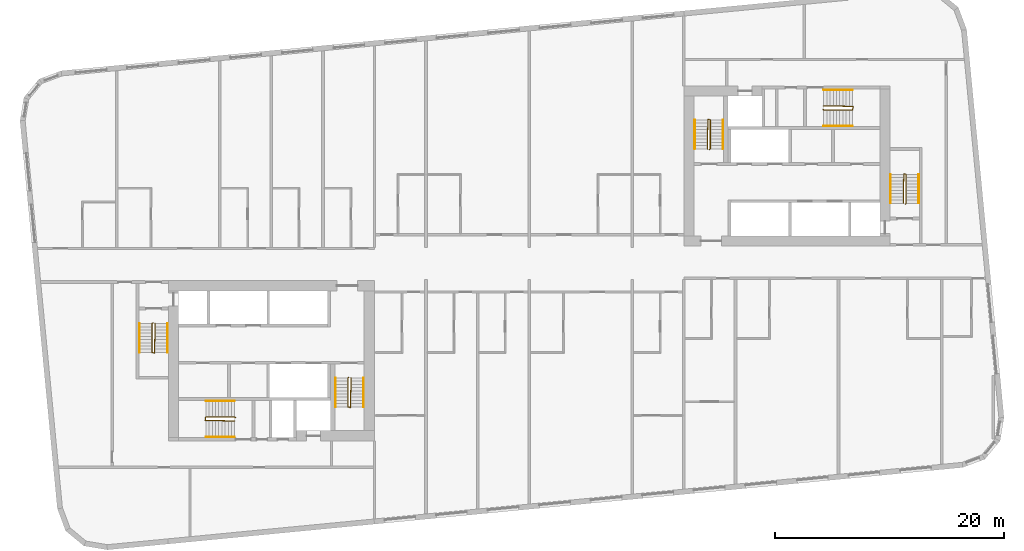
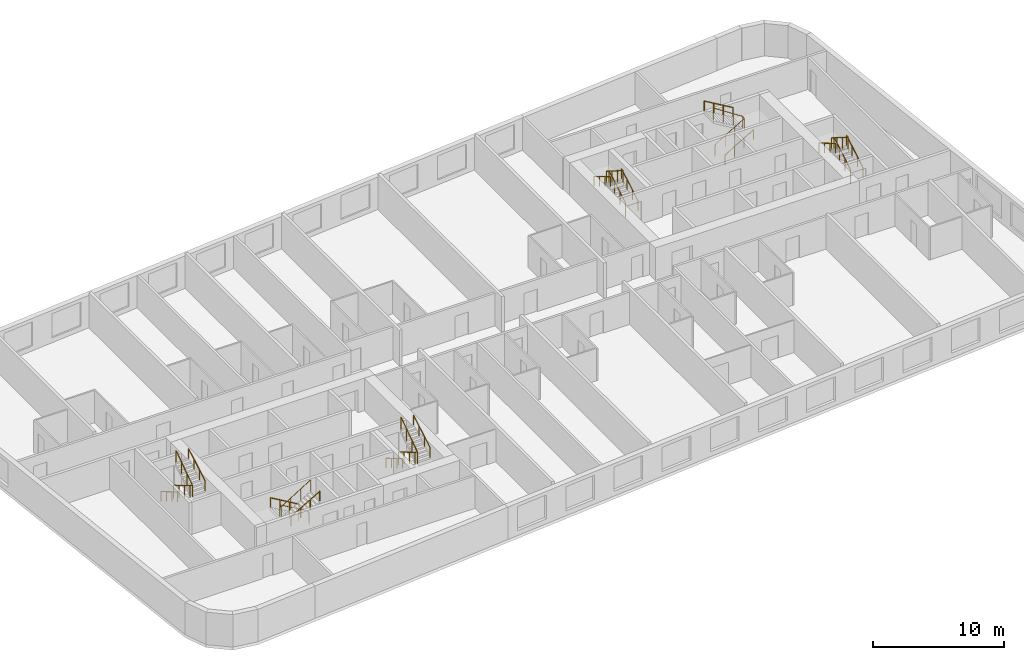
# One storey, part 12 of 12: 18 railings.
"""IFC4 building model written with IfcOpenShell, lengths in metres."""

from ifc_helpers import new_model, si_unit, direction, frame, origin, origin_2d, place, context, subcontext, project, spatial, circle, extrude, material, type_object, element, save


model = new_model("IFC4")

# Units and contexts
model_context = context("Model", 3, precision=1e-05, world=origin(), true_north=direction((0.0, 1.0)))
body_context = subcontext(model_context, "Body", "Model", "MODEL_VIEW")
ifc_project = project(units=[si_unit("LENGTHUNIT", "METRE"), si_unit("AREAUNIT", "SQUARE_METRE"), si_unit("VOLUMEUNIT", "CUBIC_METRE"), si_unit("PLANEANGLEUNIT", "RADIAN"), si_unit("MASSUNIT", "GRAM", prefix="KILO")], contexts=[model_context])

# Site, building, storey
site_placement = place(None, origin())
site = spatial("IfcSite", under=ifc_project, at=site_placement, CompositionType="ELEMENT")
building_placement = place(site_placement, origin())
building = spatial("IfcBuilding", under=site, at=building_placement, Name="Kajstack Hotel Tower", CompositionType="ELEMENT")
storey_placement = place(building_placement, frame((0.0, 0.0, 183.39990234375)))
storey = spatial("IfcBuildingStorey", under=building, at=storey_placement, Name="L43", CompositionType="ELEMENT", Elevation=183.39990234375)

# Railings
ifc_material = material(Name="Steel S355J2", Category="steel")
railing_type_1 = type_object("IfcRailingType", Name="Stair guard 1100", PredefinedType="GUARDRAIL", material=ifc_material)
railing_1_placement = place(storey_placement, frame((-32.85009765625, -5.199951171875, 0.0)))
element("IfcRailing", 1, at=railing_1_placement, inside=storey, type_object=railing_type_1, Name="L43 W1 stair guard 1", PredefinedType="GUARDRAIL", context=body_context, shape_type="SweptSolid", body=[
    extrude(circle(Radius=0.02392578125, at=origin_2d()), frame((0.0, 0.0, 1.076171875), z_axis=(-0.277450376394, -0.278810427259, 0.919394384522), x_axis=(0.708833529934, -0.705375805398, 0.0)), (0.0, 0.0, 1.0), 0.179443359375),
    extrude(circle(Radius=0.02392578125, at=origin_2d()), frame((-0.0498046875, -0.050048828125, 1.2412109375), z_axis=(0.0, -0.86152411907, 0.507716645641), x_axis=(1.0, 0.0, 0.0)), (0.0, 0.0, 1.0), 2.925048828125),
    extrude(circle(Radius=0.02392578125, at=origin_2d()), frame((-0.0498046875, -2.570068359375, 2.72607421875), z_axis=(0.970072785993, -0.242814311512, 0.0), x_axis=(0.242814311512, 0.970072785993, 0.0)), (0.0, 0.0, 1.0), 0.2060546875),
    extrude(circle(Radius=0.02392578125, at=origin_2d()), frame((0.150146484375, -2.6201171875, 2.72607421875), z_axis=(0.016385308676, 0.841405582595, 0.540155687962), x_axis=(-0.999810440751, 0.019470042781, 0.0)), (0.0, 0.0, 1.0), 3.054443359375),
    extrude(circle(Radius=0.02099609375, at=origin_2d()), origin(), (0.0, 0.0, 1.0), 1.052001953125),
    extrude(circle(Radius=0.02099609375, at=origin_2d()), frame((-0.0498046875, -0.050048828125, 0.1650390625)), (0.0, 0.0, 1.0), 1.052001953125),
    extrude(circle(Radius=0.02099609375, at=origin_2d()), frame((-0.0498046875, -0.89013671875, 0.66015625)), (0.0, 0.0, 1.0), 1.052001953125),
    extrude(circle(Radius=0.02099609375, at=origin_2d()), frame((-0.0498046875, -1.72998046875, 1.155029296875)), (0.0, 0.0, 1.0), 1.052001953125),
    extrude(circle(Radius=0.02099609375, at=origin_2d()), frame((-0.0498046875, -2.570068359375, 1.650146484375)), (0.0, 0.0, 1.0), 1.052001953125),
    extrude(circle(Radius=0.02099609375, at=origin_2d()), frame((0.150146484375, -2.6201171875, 1.650146484375)), (0.0, 0.0, 1.0), 1.052001953125),
    extrude(circle(Radius=0.02099609375, at=origin_2d()), frame((0.166748046875, -1.763427734375, 2.2001953125)), (0.0, 0.0, 1.0), 1.052001953125),
    extrude(circle(Radius=0.02099609375, at=origin_2d()), frame((0.18359375, -0.90673828125, 2.75)), (0.0, 0.0, 1.0), 1.052001953125),
    extrude(circle(Radius=0.02099609375, at=origin_2d()), frame((0.2001953125, -0.050048828125, 3.300048828125)), (0.0, 0.0, 1.0), 1.052001953125),
])
railing_2_placement = place(storey_placement, frame((-15.75, -9.949951171875, 0.0)))
element("IfcRailing", 2, at=railing_2_placement, inside=storey, type_object=railing_type_1, Name="L43 W2 stair guard 1", PredefinedType="GUARDRAIL", context=body_context, shape_type="SweptSolid", body=[
    extrude(circle(Radius=0.02392578125, at=origin_2d()), frame((0.0, 0.0, 1.076171875), z_axis=(-0.278705021027, -0.278705021027, 0.919046801044), x_axis=(0.707106781187, -0.707106781187, 0.0)), (0.0, 0.0, 1.0), 0.1796875),
    extrude(circle(Radius=0.02392578125, at=origin_2d()), frame((-0.050048828125, -0.050048828125, 1.2412109375), z_axis=(0.0, -0.86152411907, 0.507716645641), x_axis=(1.0, 0.0, 0.0)), (0.0, 0.0, 1.0), 2.925048828125),
    extrude(circle(Radius=0.02392578125, at=origin_2d()), frame((-0.050048828125, -2.570068359375, 2.72607421875), z_axis=(0.970072785993, -0.242814311512, 0.0), x_axis=(0.242814311512, 0.970072785993, 0.0)), (0.0, 0.0, 1.0), 0.2060546875),
    extrude(circle(Radius=0.02392578125, at=origin_2d()), frame((0.14990234375, -2.6201171875, 2.72607421875), z_axis=(0.016385308676, 0.841405582595, 0.540155687962), x_axis=(-0.999810440751, 0.019470042781, 0.0)), (0.0, 0.0, 1.0), 3.054443359375),
    extrude(circle(Radius=0.02099609375, at=origin_2d()), origin(), (0.0, 0.0, 1.0), 1.052001953125),
    extrude(circle(Radius=0.02099609375, at=origin_2d()), frame((-0.050048828125, -0.050048828125, 0.1650390625)), (0.0, 0.0, 1.0), 1.052001953125),
    extrude(circle(Radius=0.02099609375, at=origin_2d()), frame((-0.050048828125, -0.89013671875, 0.66015625)), (0.0, 0.0, 1.0), 1.052001953125),
    extrude(circle(Radius=0.02099609375, at=origin_2d()), frame((-0.050048828125, -1.72998046875, 1.155029296875)), (0.0, 0.0, 1.0), 1.052001953125),
    extrude(circle(Radius=0.02099609375, at=origin_2d()), frame((-0.050048828125, -2.570068359375, 1.650146484375)), (0.0, 0.0, 1.0), 1.052001953125),
    extrude(circle(Radius=0.02099609375, at=origin_2d()), frame((0.14990234375, -2.6201171875, 1.650146484375)), (0.0, 0.0, 1.0), 1.052001953125),
    extrude(circle(Radius=0.02099609375, at=origin_2d()), frame((0.16650390625, -1.763427734375, 2.2001953125)), (0.0, 0.0, 1.0), 1.052001953125),
    extrude(circle(Radius=0.02099609375, at=origin_2d()), frame((0.183349609375, -0.90673828125, 2.75)), (0.0, 0.0, 1.0), 1.052001953125),
    extrude(circle(Radius=0.02099609375, at=origin_2d()), frame((0.199951171875, -0.050048828125, 3.300048828125)), (0.0, 0.0, 1.0), 1.052001953125),
])
railing_3_placement = place(storey_placement, frame((-25.64990234375, -13.449951171875, 0.0)))
element("IfcRailing", 3, at=railing_3_placement, inside=storey, type_object=railing_type_1, Name="L43 W3 stair guard 1", PredefinedType="GUARDRAIL", context=body_context, shape_type="SweptSolid", body=[
    extrude(circle(Radius=0.02392578125, at=origin_2d()), frame((0.0, 0.0, 1.076171875), z_axis=(-0.278705021027, 0.278705021027, 0.919046801044), x_axis=(-0.707106781187, -0.707106781187, 0.0)), (0.0, 0.0, 1.0), 0.1796875),
    extrude(circle(Radius=0.02392578125, at=origin_2d()), frame((-0.050048828125, 0.050048828125, 1.2412109375), z_axis=(-0.86152411907, 0.0, 0.507716645641), x_axis=(0.0, -1.0, 0.0)), (0.0, 0.0, 1.0), 2.925048828125),
    extrude(circle(Radius=0.02392578125, at=origin_2d()), frame((-2.570068359375, 0.050048828125, 2.72607421875), z_axis=(-0.164529134168, -0.986372223864, 0.0), x_axis=(0.986372223864, -0.164529134168, 0.0)), (0.0, 0.0, 1.0), 0.30419921875),
    extrude(circle(Radius=0.02392578125, at=origin_2d()), frame((-2.6201171875, -0.25, 2.72607421875), z_axis=(0.841405582595, -0.016385308676, 0.540155687962), x_axis=(0.019470042781, 0.999810440751, 0.0)), (0.0, 0.0, 1.0), 3.054443359375),
    extrude(circle(Radius=0.02099609375, at=origin_2d()), origin(), (0.0, 0.0, 1.0), 1.052001953125),
    extrude(circle(Radius=0.02099609375, at=origin_2d()), frame((-0.050048828125, 0.050048828125, 0.1650390625)), (0.0, 0.0, 1.0), 1.052001953125),
    extrude(circle(Radius=0.02099609375, at=origin_2d()), frame((-0.89013671875, 0.050048828125, 0.66015625)), (0.0, 0.0, 1.0), 1.052001953125),
    extrude(circle(Radius=0.02099609375, at=origin_2d()), frame((-1.72998046875, 0.050048828125, 1.155029296875)), (0.0, 0.0, 1.0), 1.052001953125),
    extrude(circle(Radius=0.02099609375, at=origin_2d()), frame((-2.570068359375, 0.050048828125, 1.650146484375)), (0.0, 0.0, 1.0), 1.052001953125),
    extrude(circle(Radius=0.02099609375, at=origin_2d()), frame((-2.6201171875, -0.25, 1.650146484375)), (0.0, 0.0, 1.0), 1.052001953125),
    extrude(circle(Radius=0.02099609375, at=origin_2d()), frame((-1.763427734375, -0.2666015625, 2.2001953125)), (0.0, 0.0, 1.0), 1.052001953125),
    extrude(circle(Radius=0.02099609375, at=origin_2d()), frame((-0.90673828125, -0.283447265625, 2.75)), (0.0, 0.0, 1.0), 1.052001953125),
    extrude(circle(Radius=0.02099609375, at=origin_2d()), frame((-0.050048828125, -0.300048828125, 3.300048828125)), (0.0, 0.0, 1.0), 1.052001953125),
])
railing_4_placement = place(storey_placement, frame((32.85009765625, 5.199951171875, 0.0)))
element("IfcRailing", 4, at=railing_4_placement, inside=storey, type_object=railing_type_1, Name="L43 E1 stair guard 1", PredefinedType="GUARDRAIL", context=body_context, shape_type="SweptSolid", body=[
    extrude(circle(Radius=0.02392578125, at=origin_2d()), frame((0.0, 0.0, 1.076171875), z_axis=(0.277450376394, 0.278810427259, 0.919394384522), x_axis=(-0.708833529934, 0.705375805398, 0.0)), (0.0, 0.0, 1.0), 0.179443359375),
    extrude(circle(Radius=0.02392578125, at=origin_2d()), frame((0.0498046875, 0.050048828125, 1.2412109375), z_axis=(0.0, 0.86152411907, 0.507716645641), x_axis=(-1.0, 0.0, 0.0)), (0.0, 0.0, 1.0), 2.925048828125),
    extrude(circle(Radius=0.02392578125, at=origin_2d()), frame((0.0498046875, 2.570068359375, 2.72607421875), z_axis=(-0.970072785993, 0.242814311512, 0.0), x_axis=(-0.242814311512, -0.970072785993, 0.0)), (0.0, 0.0, 1.0), 0.2060546875),
    extrude(circle(Radius=0.02392578125, at=origin_2d()), frame((-0.150146484375, 2.6201171875, 2.72607421875), z_axis=(-0.016385308676, -0.841405582595, 0.540155687962), x_axis=(0.999810440751, -0.019470042781, 0.0)), (0.0, 0.0, 1.0), 3.054443359375),
    extrude(circle(Radius=0.02099609375, at=origin_2d()), origin(), (0.0, 0.0, 1.0), 1.052001953125),
    extrude(circle(Radius=0.02099609375, at=origin_2d()), frame((0.0498046875, 0.050048828125, 0.1650390625)), (0.0, 0.0, 1.0), 1.052001953125),
    extrude(circle(Radius=0.02099609375, at=origin_2d()), frame((0.0498046875, 0.89013671875, 0.66015625)), (0.0, 0.0, 1.0), 1.052001953125),
    extrude(circle(Radius=0.02099609375, at=origin_2d()), frame((0.0498046875, 1.72998046875, 1.155029296875)), (0.0, 0.0, 1.0), 1.052001953125),
    extrude(circle(Radius=0.02099609375, at=origin_2d()), frame((0.0498046875, 2.570068359375, 1.650146484375)), (0.0, 0.0, 1.0), 1.052001953125),
    extrude(circle(Radius=0.02099609375, at=origin_2d()), frame((-0.150146484375, 2.6201171875, 1.650146484375)), (0.0, 0.0, 1.0), 1.052001953125),
    extrude(circle(Radius=0.02099609375, at=origin_2d()), frame((-0.166748046875, 1.763427734375, 2.2001953125)), (0.0, 0.0, 1.0), 1.052001953125),
    extrude(circle(Radius=0.02099609375, at=origin_2d()), frame((-0.18359375, 0.90673828125, 2.75)), (0.0, 0.0, 1.0), 1.052001953125),
    extrude(circle(Radius=0.02099609375, at=origin_2d()), frame((-0.2001953125, 0.050048828125, 3.300048828125)), (0.0, 0.0, 1.0), 1.052001953125),
])
railing_5_placement = place(storey_placement, frame((15.75, 9.949951171875, 0.0)))
element("IfcRailing", 5, at=railing_5_placement, inside=storey, type_object=railing_type_1, Name="L43 E2 stair guard 1", PredefinedType="GUARDRAIL", context=body_context, shape_type="SweptSolid", body=[
    extrude(circle(Radius=0.02392578125, at=origin_2d()), frame((0.0, 0.0, 1.076171875), z_axis=(0.278705021027, 0.278705021027, 0.919046801044), x_axis=(-0.707106781187, 0.707106781187, 0.0)), (0.0, 0.0, 1.0), 0.1796875),
    extrude(circle(Radius=0.02392578125, at=origin_2d()), frame((0.050048828125, 0.050048828125, 1.2412109375), z_axis=(0.0, 0.86152411907, 0.507716645641), x_axis=(-1.0, 0.0, 0.0)), (0.0, 0.0, 1.0), 2.925048828125),
    extrude(circle(Radius=0.02392578125, at=origin_2d()), frame((0.050048828125, 2.570068359375, 2.72607421875), z_axis=(-0.970072785993, 0.242814311512, 0.0), x_axis=(-0.242814311512, -0.970072785993, 0.0)), (0.0, 0.0, 1.0), 0.2060546875),
    extrude(circle(Radius=0.02392578125, at=origin_2d()), frame((-0.14990234375, 2.6201171875, 2.72607421875), z_axis=(-0.016385308676, -0.841405582595, 0.540155687962), x_axis=(0.999810440751, -0.019470042781, 0.0)), (0.0, 0.0, 1.0), 3.054443359375),
    extrude(circle(Radius=0.02099609375, at=origin_2d()), origin(), (0.0, 0.0, 1.0), 1.052001953125),
    extrude(circle(Radius=0.02099609375, at=origin_2d()), frame((0.050048828125, 0.050048828125, 0.1650390625)), (0.0, 0.0, 1.0), 1.052001953125),
    extrude(circle(Radius=0.02099609375, at=origin_2d()), frame((0.050048828125, 0.89013671875, 0.66015625)), (0.0, 0.0, 1.0), 1.052001953125),
    extrude(circle(Radius=0.02099609375, at=origin_2d()), frame((0.050048828125, 1.72998046875, 1.155029296875)), (0.0, 0.0, 1.0), 1.052001953125),
    extrude(circle(Radius=0.02099609375, at=origin_2d()), frame((0.050048828125, 2.570068359375, 1.650146484375)), (0.0, 0.0, 1.0), 1.052001953125),
    extrude(circle(Radius=0.02099609375, at=origin_2d()), frame((-0.14990234375, 2.6201171875, 1.650146484375)), (0.0, 0.0, 1.0), 1.052001953125),
    extrude(circle(Radius=0.02099609375, at=origin_2d()), frame((-0.16650390625, 1.763427734375, 2.2001953125)), (0.0, 0.0, 1.0), 1.052001953125),
    extrude(circle(Radius=0.02099609375, at=origin_2d()), frame((-0.183349609375, 0.90673828125, 2.75)), (0.0, 0.0, 1.0), 1.052001953125),
    extrude(circle(Radius=0.02099609375, at=origin_2d()), frame((-0.199951171875, 0.050048828125, 3.300048828125)), (0.0, 0.0, 1.0), 1.052001953125),
])
railing_6_placement = place(storey_placement, frame((25.64990234375, 13.449951171875, 0.0)))
element("IfcRailing", 6, at=railing_6_placement, inside=storey, type_object=railing_type_1, Name="L43 E3 stair guard 1", PredefinedType="GUARDRAIL", context=body_context, shape_type="SweptSolid", body=[
    extrude(circle(Radius=0.02392578125, at=origin_2d()), frame((0.0, 0.0, 1.076171875), z_axis=(0.278705021027, -0.278705021027, 0.919046801044), x_axis=(0.707106781187, 0.707106781187, 0.0)), (0.0, 0.0, 1.0), 0.1796875),
    extrude(circle(Radius=0.02392578125, at=origin_2d()), frame((0.050048828125, -0.050048828125, 1.2412109375), z_axis=(0.86152411907, 0.0, 0.507716645641), x_axis=(0.0, 1.0, 0.0)), (0.0, 0.0, 1.0), 2.925048828125),
    extrude(circle(Radius=0.02392578125, at=origin_2d()), frame((2.570068359375, -0.050048828125, 2.72607421875), z_axis=(0.164529134168, 0.986372223864, 0.0), x_axis=(-0.986372223864, 0.164529134168, 0.0)), (0.0, 0.0, 1.0), 0.30419921875),
    extrude(circle(Radius=0.02392578125, at=origin_2d()), frame((2.6201171875, 0.25, 2.72607421875), z_axis=(-0.841405582595, 0.016385308676, 0.540155687962), x_axis=(-0.019470042781, -0.999810440751, 0.0)), (0.0, 0.0, 1.0), 3.054443359375),
    extrude(circle(Radius=0.02099609375, at=origin_2d()), origin(), (0.0, 0.0, 1.0), 1.052001953125),
    extrude(circle(Radius=0.02099609375, at=origin_2d()), frame((0.050048828125, -0.050048828125, 0.1650390625)), (0.0, 0.0, 1.0), 1.052001953125),
    extrude(circle(Radius=0.02099609375, at=origin_2d()), frame((0.89013671875, -0.050048828125, 0.66015625)), (0.0, 0.0, 1.0), 1.052001953125),
    extrude(circle(Radius=0.02099609375, at=origin_2d()), frame((1.72998046875, -0.050048828125, 1.155029296875)), (0.0, 0.0, 1.0), 1.052001953125),
    extrude(circle(Radius=0.02099609375, at=origin_2d()), frame((2.570068359375, -0.050048828125, 1.650146484375)), (0.0, 0.0, 1.0), 1.052001953125),
    extrude(circle(Radius=0.02099609375, at=origin_2d()), frame((2.6201171875, 0.25, 1.650146484375)), (0.0, 0.0, 1.0), 1.052001953125),
    extrude(circle(Radius=0.02099609375, at=origin_2d()), frame((1.763427734375, 0.2666015625, 2.2001953125)), (0.0, 0.0, 1.0), 1.052001953125),
    extrude(circle(Radius=0.02099609375, at=origin_2d()), frame((0.90673828125, 0.283447265625, 2.75)), (0.0, 0.0, 1.0), 1.052001953125),
    extrude(circle(Radius=0.02099609375, at=origin_2d()), frame((0.050048828125, 0.300048828125, 3.300048828125)), (0.0, 0.0, 1.0), 1.052001953125),
])
railing_type_2 = type_object("IfcRailingType", Name="Stair handrail 900", PredefinedType="HANDRAIL", material=ifc_material)
railing_7_placement = place(storey_placement, frame((-34.0, -5.25, 0.1650390625)))
element("IfcRailing", 7, at=railing_7_placement, inside=storey, type_object=railing_type_2, Name="L43 W1 stair handrail 1", PredefinedType="HANDRAIL", context=body_context, shape_type="SweptSolid", body=[
    extrude(circle(Radius=0.02392578125, at=origin_2d()), frame((0.0, 0.0, 0.8759765625), z_axis=(0.0, -0.86152411907, 0.507716645641), x_axis=(1.0, 0.0, 0.0)), (0.0, 0.0, 1.0), 2.925048828125),
    extrude(circle(Radius=0.02099609375, at=origin_2d()), origin(), (0.0, 0.0, 1.0), 0.851806640625),
    extrude(circle(Radius=0.02099609375, at=origin_2d()), frame((0.0, -0.840087890625, 0.4951171875)), (0.0, 0.0, 1.0), 0.851806640625),
    extrude(circle(Radius=0.02099609375, at=origin_2d()), frame((0.0, -1.679931640625, 0.989990234375)), (0.0, 0.0, 1.0), 0.851806640625),
    extrude(circle(Radius=0.02099609375, at=origin_2d()), frame((0.0, -2.52001953125, 1.485107421875)), (0.0, 0.0, 1.0), 0.851806640625),
])
railing_8_placement = place(storey_placement, frame((-31.550048828125, -7.77001953125, 1.815185546875)))
element("IfcRailing", 8, at=railing_8_placement, inside=storey, type_object=railing_type_2, Name="L43 W1 stair handrail 2", PredefinedType="HANDRAIL", context=body_context, shape_type="SweptSolid", body=[
    extrude(circle(Radius=0.02392578125, at=origin_2d()), frame((0.0, 0.0, 0.8759765625), z_axis=(0.0, 0.861560626758, 0.507654692109), x_axis=(-1.0, 0.0, 0.0)), (0.0, 0.0, 1.0), 2.925048828125),
    extrude(circle(Radius=0.02099609375, at=origin_2d()), origin(), (0.0, 0.0, 1.0), 0.851806640625),
    extrude(circle(Radius=0.02099609375, at=origin_2d()), frame((0.0, 0.840087890625, 0.494873046875)), (0.0, 0.0, 1.0), 0.851806640625),
    extrude(circle(Radius=0.02099609375, at=origin_2d()), frame((0.0, 1.679931640625, 0.989990234375)), (0.0, 0.0, 1.0), 0.851806640625),
    extrude(circle(Radius=0.02099609375, at=origin_2d()), frame((0.0, 2.52001953125, 1.48486328125)), (0.0, 0.0, 1.0), 0.851806640625),
])
railing_9_placement = place(storey_placement, frame((-16.89990234375, -10.0, 0.1650390625)))
element("IfcRailing", 9, at=railing_9_placement, inside=storey, type_object=railing_type_2, Name="L43 W2 stair handrail 1", PredefinedType="HANDRAIL", context=body_context, shape_type="SweptSolid", body=[
    extrude(circle(Radius=0.02392578125, at=origin_2d()), frame((0.0, 0.0, 0.8759765625), z_axis=(0.0, -0.86152411907, 0.507716645641), x_axis=(1.0, 0.0, 0.0)), (0.0, 0.0, 1.0), 2.925048828125),
    extrude(circle(Radius=0.02099609375, at=origin_2d()), origin(), (0.0, 0.0, 1.0), 0.851806640625),
    extrude(circle(Radius=0.02099609375, at=origin_2d()), frame((0.0, -0.840087890625, 0.4951171875)), (0.0, 0.0, 1.0), 0.851806640625),
    extrude(circle(Radius=0.02099609375, at=origin_2d()), frame((0.0, -1.679931640625, 0.989990234375)), (0.0, 0.0, 1.0), 0.851806640625),
    extrude(circle(Radius=0.02099609375, at=origin_2d()), frame((0.0, -2.52001953125, 1.485107421875)), (0.0, 0.0, 1.0), 0.851806640625),
])
railing_10_placement = place(storey_placement, frame((-14.449951171875, -12.52001953125, 1.815185546875)))
element("IfcRailing", 10, at=railing_10_placement, inside=storey, type_object=railing_type_2, Name="L43 W2 stair handrail 2", PredefinedType="HANDRAIL", context=body_context, shape_type="SweptSolid", body=[
    extrude(circle(Radius=0.02392578125, at=origin_2d()), frame((0.0, 0.0, 0.8759765625), z_axis=(0.0, 0.861560626758, 0.507654692109), x_axis=(-1.0, 0.0, 0.0)), (0.0, 0.0, 1.0), 2.925048828125),
    extrude(circle(Radius=0.02099609375, at=origin_2d()), origin(), (0.0, 0.0, 1.0), 0.851806640625),
    extrude(circle(Radius=0.02099609375, at=origin_2d()), frame((0.0, 0.840087890625, 0.494873046875)), (0.0, 0.0, 1.0), 0.851806640625),
    extrude(circle(Radius=0.02099609375, at=origin_2d()), frame((0.0, 1.679931640625, 0.989990234375)), (0.0, 0.0, 1.0), 0.851806640625),
    extrude(circle(Radius=0.02099609375, at=origin_2d()), frame((0.0, 2.52001953125, 1.48486328125)), (0.0, 0.0, 1.0), 0.851806640625),
])
railing_11_placement = place(storey_placement, frame((-25.699951171875, -12.0, 0.1650390625)))
element("IfcRailing", 11, at=railing_11_placement, inside=storey, type_object=railing_type_2, Name="L43 W3 stair handrail 1", PredefinedType="HANDRAIL", context=body_context, shape_type="SweptSolid", body=[
    extrude(circle(Radius=0.02392578125, at=origin_2d()), frame((0.0, 0.0, 0.8759765625), z_axis=(-0.86152411907, 0.0, 0.507716645641), x_axis=(0.0, -1.0, 0.0)), (0.0, 0.0, 1.0), 2.925048828125),
    extrude(circle(Radius=0.02099609375, at=origin_2d()), origin(), (0.0, 0.0, 1.0), 0.851806640625),
    extrude(circle(Radius=0.02099609375, at=origin_2d()), frame((-0.840087890625, 0.0, 0.4951171875)), (0.0, 0.0, 1.0), 0.851806640625),
    extrude(circle(Radius=0.02099609375, at=origin_2d()), frame((-1.679931640625, 0.0, 0.989990234375)), (0.0, 0.0, 1.0), 0.851806640625),
    extrude(circle(Radius=0.02099609375, at=origin_2d()), frame((-2.52001953125, 0.0, 1.485107421875)), (0.0, 0.0, 1.0), 0.851806640625),
])
railing_12_placement = place(storey_placement, frame((-28.219970703125, -15.14990234375, 1.815185546875)))
element("IfcRailing", 12, at=railing_12_placement, inside=storey, type_object=railing_type_2, Name="L43 W3 stair handrail 2", PredefinedType="HANDRAIL", context=body_context, shape_type="SweptSolid", body=[
    extrude(circle(Radius=0.02392578125, at=origin_2d()), frame((0.0, 0.0, 0.8759765625), z_axis=(0.861560626758, 0.0, 0.507654692109), x_axis=(0.0, 1.0, 0.0)), (0.0, 0.0, 1.0), 2.925048828125),
    extrude(circle(Radius=0.02099609375, at=origin_2d()), origin(), (0.0, 0.0, 1.0), 0.851806640625),
    extrude(circle(Radius=0.02099609375, at=origin_2d()), frame((0.840087890625, 0.0, 0.494873046875)), (0.0, 0.0, 1.0), 0.851806640625),
    extrude(circle(Radius=0.02099609375, at=origin_2d()), frame((1.679931640625, 0.0, 0.989990234375)), (0.0, 0.0, 1.0), 0.851806640625),
    extrude(circle(Radius=0.02099609375, at=origin_2d()), frame((2.52001953125, 0.0, 1.48486328125)), (0.0, 0.0, 1.0), 0.851806640625),
])
railing_13_placement = place(storey_placement, frame((34.0, 5.25, 0.1650390625)))
element("IfcRailing", 13, at=railing_13_placement, inside=storey, type_object=railing_type_2, Name="L43 E1 stair handrail 1", PredefinedType="HANDRAIL", context=body_context, shape_type="SweptSolid", body=[
    extrude(circle(Radius=0.02392578125, at=origin_2d()), frame((0.0, 0.0, 0.8759765625), z_axis=(0.0, 0.86152411907, 0.507716645641), x_axis=(-1.0, 0.0, 0.0)), (0.0, 0.0, 1.0), 2.925048828125),
    extrude(circle(Radius=0.02099609375, at=origin_2d()), origin(), (0.0, 0.0, 1.0), 0.851806640625),
    extrude(circle(Radius=0.02099609375, at=origin_2d()), frame((0.0, 0.840087890625, 0.4951171875)), (0.0, 0.0, 1.0), 0.851806640625),
    extrude(circle(Radius=0.02099609375, at=origin_2d()), frame((0.0, 1.679931640625, 0.989990234375)), (0.0, 0.0, 1.0), 0.851806640625),
    extrude(circle(Radius=0.02099609375, at=origin_2d()), frame((0.0, 2.52001953125, 1.485107421875)), (0.0, 0.0, 1.0), 0.851806640625),
])
railing_14_placement = place(storey_placement, frame((31.550048828125, 7.77001953125, 1.815185546875)))
element("IfcRailing", 14, at=railing_14_placement, inside=storey, type_object=railing_type_2, Name="L43 E1 stair handrail 2", PredefinedType="HANDRAIL", context=body_context, shape_type="SweptSolid", body=[
    extrude(circle(Radius=0.02392578125, at=origin_2d()), frame((0.0, 0.0, 0.8759765625), z_axis=(0.0, -0.861560626758, 0.507654692109), x_axis=(1.0, 0.0, 0.0)), (0.0, 0.0, 1.0), 2.925048828125),
    extrude(circle(Radius=0.02099609375, at=origin_2d()), origin(), (0.0, 0.0, 1.0), 0.851806640625),
    extrude(circle(Radius=0.02099609375, at=origin_2d()), frame((0.0, -0.840087890625, 0.494873046875)), (0.0, 0.0, 1.0), 0.851806640625),
    extrude(circle(Radius=0.02099609375, at=origin_2d()), frame((0.0, -1.679931640625, 0.989990234375)), (0.0, 0.0, 1.0), 0.851806640625),
    extrude(circle(Radius=0.02099609375, at=origin_2d()), frame((0.0, -2.52001953125, 1.48486328125)), (0.0, 0.0, 1.0), 0.851806640625),
])
railing_15_placement = place(storey_placement, frame((16.89990234375, 10.0, 0.1650390625)))
element("IfcRailing", 15, at=railing_15_placement, inside=storey, type_object=railing_type_2, Name="L43 E2 stair handrail 1", PredefinedType="HANDRAIL", context=body_context, shape_type="SweptSolid", body=[
    extrude(circle(Radius=0.02392578125, at=origin_2d()), frame((0.0, 0.0, 0.8759765625), z_axis=(0.0, 0.86152411907, 0.507716645641), x_axis=(-1.0, 0.0, 0.0)), (0.0, 0.0, 1.0), 2.925048828125),
    extrude(circle(Radius=0.02099609375, at=origin_2d()), origin(), (0.0, 0.0, 1.0), 0.851806640625),
    extrude(circle(Radius=0.02099609375, at=origin_2d()), frame((0.0, 0.840087890625, 0.4951171875)), (0.0, 0.0, 1.0), 0.851806640625),
    extrude(circle(Radius=0.02099609375, at=origin_2d()), frame((0.0, 1.679931640625, 0.989990234375)), (0.0, 0.0, 1.0), 0.851806640625),
    extrude(circle(Radius=0.02099609375, at=origin_2d()), frame((0.0, 2.52001953125, 1.485107421875)), (0.0, 0.0, 1.0), 0.851806640625),
])
railing_16_placement = place(storey_placement, frame((14.449951171875, 12.52001953125, 1.815185546875)))
element("IfcRailing", 16, at=railing_16_placement, inside=storey, type_object=railing_type_2, Name="L43 E2 stair handrail 2", PredefinedType="HANDRAIL", context=body_context, shape_type="SweptSolid", body=[
    extrude(circle(Radius=0.02392578125, at=origin_2d()), frame((0.0, 0.0, 0.8759765625), z_axis=(0.0, -0.861560626758, 0.507654692109), x_axis=(1.0, 0.0, 0.0)), (0.0, 0.0, 1.0), 2.925048828125),
    extrude(circle(Radius=0.02099609375, at=origin_2d()), origin(), (0.0, 0.0, 1.0), 0.851806640625),
    extrude(circle(Radius=0.02099609375, at=origin_2d()), frame((0.0, -0.840087890625, 0.494873046875)), (0.0, 0.0, 1.0), 0.851806640625),
    extrude(circle(Radius=0.02099609375, at=origin_2d()), frame((0.0, -1.679931640625, 0.989990234375)), (0.0, 0.0, 1.0), 0.851806640625),
    extrude(circle(Radius=0.02099609375, at=origin_2d()), frame((0.0, -2.52001953125, 1.48486328125)), (0.0, 0.0, 1.0), 0.851806640625),
])
railing_17_placement = place(storey_placement, frame((25.699951171875, 12.0, 0.1650390625)))
element("IfcRailing", 17, at=railing_17_placement, inside=storey, type_object=railing_type_2, Name="L43 E3 stair handrail 1", PredefinedType="HANDRAIL", context=body_context, shape_type="SweptSolid", body=[
    extrude(circle(Radius=0.02392578125, at=origin_2d()), frame((0.0, 0.0, 0.8759765625), z_axis=(0.86152411907, 0.0, 0.507716645641), x_axis=(0.0, 1.0, 0.0)), (0.0, 0.0, 1.0), 2.925048828125),
    extrude(circle(Radius=0.02099609375, at=origin_2d()), origin(), (0.0, 0.0, 1.0), 0.851806640625),
    extrude(circle(Radius=0.02099609375, at=origin_2d()), frame((0.840087890625, 0.0, 0.4951171875)), (0.0, 0.0, 1.0), 0.851806640625),
    extrude(circle(Radius=0.02099609375, at=origin_2d()), frame((1.679931640625, 0.0, 0.989990234375)), (0.0, 0.0, 1.0), 0.851806640625),
    extrude(circle(Radius=0.02099609375, at=origin_2d()), frame((2.52001953125, 0.0, 1.485107421875)), (0.0, 0.0, 1.0), 0.851806640625),
])
railing_18_placement = place(storey_placement, frame((28.219970703125, 15.14990234375, 1.815185546875)))
element("IfcRailing", 18, at=railing_18_placement, inside=storey, type_object=railing_type_2, Name="L43 E3 stair handrail 2", PredefinedType="HANDRAIL", context=body_context, shape_type="SweptSolid", body=[
    extrude(circle(Radius=0.02392578125, at=origin_2d()), frame((0.0, 0.0, 0.8759765625), z_axis=(-0.861560626758, 0.0, 0.507654692109), x_axis=(0.0, -1.0, 0.0)), (0.0, 0.0, 1.0), 2.925048828125),
    extrude(circle(Radius=0.02099609375, at=origin_2d()), origin(), (0.0, 0.0, 1.0), 0.851806640625),
    extrude(circle(Radius=0.02099609375, at=origin_2d()), frame((-0.840087890625, 0.0, 0.494873046875)), (0.0, 0.0, 1.0), 0.851806640625),
    extrude(circle(Radius=0.02099609375, at=origin_2d()), frame((-1.679931640625, 0.0, 0.989990234375)), (0.0, 0.0, 1.0), 0.851806640625),
    extrude(circle(Radius=0.02099609375, at=origin_2d()), frame((-2.52001953125, 0.0, 1.48486328125)), (0.0, 0.0, 1.0), 0.851806640625),
])

save(model, "model.ifc")
